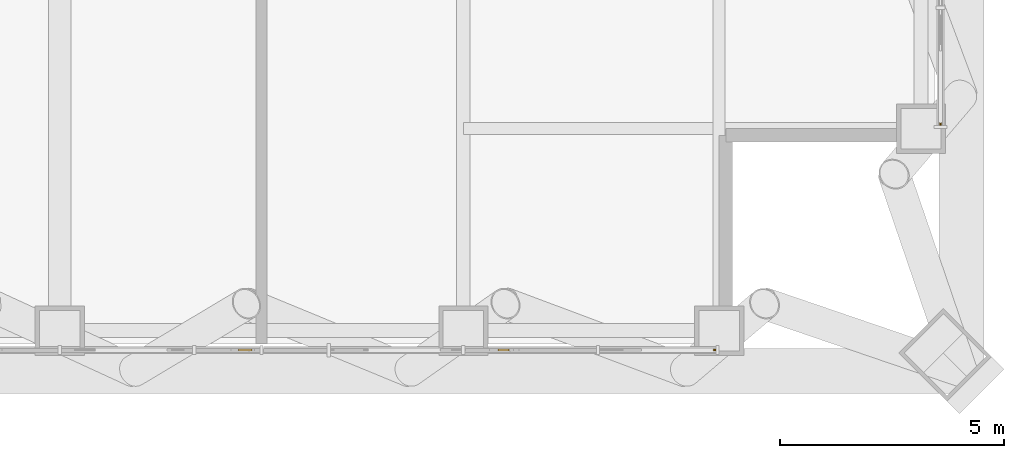
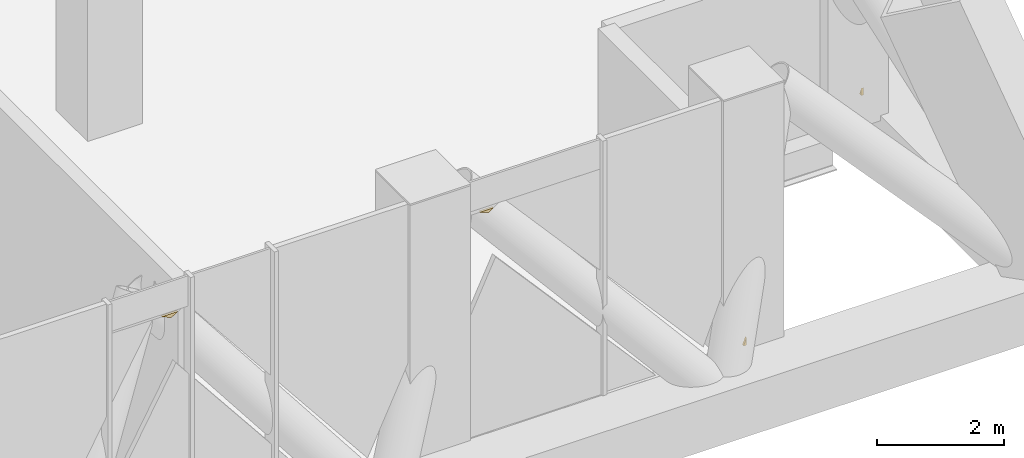
# One storey, part 23 of 29: 4 coverings.
"""IFC4 building model written with IfcOpenShell, lengths in metres."""

from ifc_helpers import new_model, si_unit, direction, frame, origin, place, context, subcontext, project, spatial, polyline, outline, extrude, material, layer, layer_set, type_object, element, save


model = new_model("IFC4")

# Units and contexts
model_context = context("Model", 3, precision=1e-05, world=origin(), true_north=direction((0.0, 1.0)))
body_context = subcontext(model_context, "Body", "Model", "MODEL_VIEW")
ifc_project = project(units=[si_unit("LENGTHUNIT", "METRE"), si_unit("AREAUNIT", "SQUARE_METRE"), si_unit("VOLUMEUNIT", "CUBIC_METRE"), si_unit("PLANEANGLEUNIT", "RADIAN"), si_unit("MASSUNIT", "GRAM", prefix="KILO")], contexts=[model_context])

# Site, building, storey
site_placement = place(None, origin())
site = spatial("IfcSite", under=ifc_project, at=site_placement, CompositionType="ELEMENT")
building_placement = place(site_placement, origin())
building = spatial("IfcBuilding", under=site, at=building_placement, Name="Malebo Sky Hospital", CompositionType="ELEMENT")
storey_placement = place(building_placement, frame((0.0, 0.0, 172.0)))
storey = spatial("IfcBuildingStorey", under=building, at=storey_placement, Name="L41", CompositionType="ELEMENT", Elevation=172.0)

# Coverings
ifc_material = material(Name="Anodised aluminium, natural silver insulated infill panel", Category="aluminium")
ifc_layer = layer(ifc_material, 0.0400390625)
ifc_layer_set = layer_set([ifc_layer], Name="BRACE INFILL PANEL 40")
covering_type = type_object("IfcCoveringType", Name="BRACE INFILL PANEL 40", PredefinedType="CLADDING", material=ifc_layer_set)
covering_1_placement = place(storey_placement, frame((79.09765625, 37.864990234375, 0.10009765625), z_axis=(0.0, 0.0, 1.0), x_axis=(-1.0, 0.0, 0.0)))
element("IfcCovering", 1, at=covering_1_placement, inside=storey, type_object=covering_type, Name="Brace infill panel 1.2", PredefinedType="CLADDING", context=body_context, shape_type="SweptSolid", body=[
    extrude(outline(polyline([(-0.02734375, 0.0), (0.02734375, 0.0), (-0.02734375, 0.1416015625), (-0.02734375, 0.0)])), frame((0.0, 0.02001953125, 0.0), z_axis=(0.0, -1.0, 0.0), x_axis=(1.0, 0.0, 0.0)), (0.0, 0.0, 1.0), 0.0400390625),
])
covering_2_placement = place(storey_placement, frame((74.397216796875, 37.864990234375, 4.2919921875), z_axis=(0.0, 0.0, 1.0), x_axis=(-1.0, 0.0, 0.0)))
element("IfcCovering", 2, at=covering_2_placement, inside=storey, type_object=covering_type, Name="Brace infill panel 2.4", PredefinedType="CLADDING", context=body_context, shape_type="SweptSolid", body=[
    extrude(outline(polyline([(-0.0322265625, 0.0), (0.122802734375, 0.060302734375), (-0.122802734375, 0.060302734375), (-0.0322265625, 0.0)])), frame((0.0, 0.02001953125, 0.0), z_axis=(0.0, -1.0, 0.0), x_axis=(1.0, 0.0, 0.0)), (0.0, 0.0, 1.0), 0.0400390625),
])
covering_3_placement = place(storey_placement, frame((68.634033203125, 37.864990234375, 4.29296875), z_axis=(0.0, 0.0, 1.0), x_axis=(-1.0, 0.0, 0.0)))
element("IfcCovering", 3, at=covering_3_placement, inside=storey, type_object=covering_type, Name="Brace infill panel 5.3", PredefinedType="CLADDING", context=body_context, shape_type="SweptSolid", body=[
    extrude(outline(polyline([(-0.023681640625, 0.0), (0.1474609375, 0.074951171875), (-0.1474609375, 0.074951171875), (-0.023681640625, 0.0)])), frame((0.0, 0.02001953125, 0.0), z_axis=(0.0, -1.0, 0.0), x_axis=(1.0, 0.0, 0.0)), (0.0, 0.0, 1.0), 0.0400390625),
])
covering_4_placement = place(storey_placement, frame((84.135009765625, 42.90234375, 0.10009765625), z_axis=(0.0, 0.0, 1.0), x_axis=(0.0, -1.0, 0.0)))
element("IfcCovering", 4, at=covering_4_placement, inside=storey, type_object=covering_type, Name="Brace infill panel 15.2", PredefinedType="CLADDING", context=body_context, shape_type="SweptSolid", body=[
    extrude(outline(polyline([(-0.02734375, 0.0), (0.02734375, 0.0), (0.02734375, 0.1416015625), (-0.02734375, 0.0)])), frame((0.0, 0.02001953125, 0.0), z_axis=(0.0, -1.0, 0.0), x_axis=(1.0, 0.0, 0.0)), (0.0, 0.0, 1.0), 0.0400390625),
])

save(model, "model.ifc")
